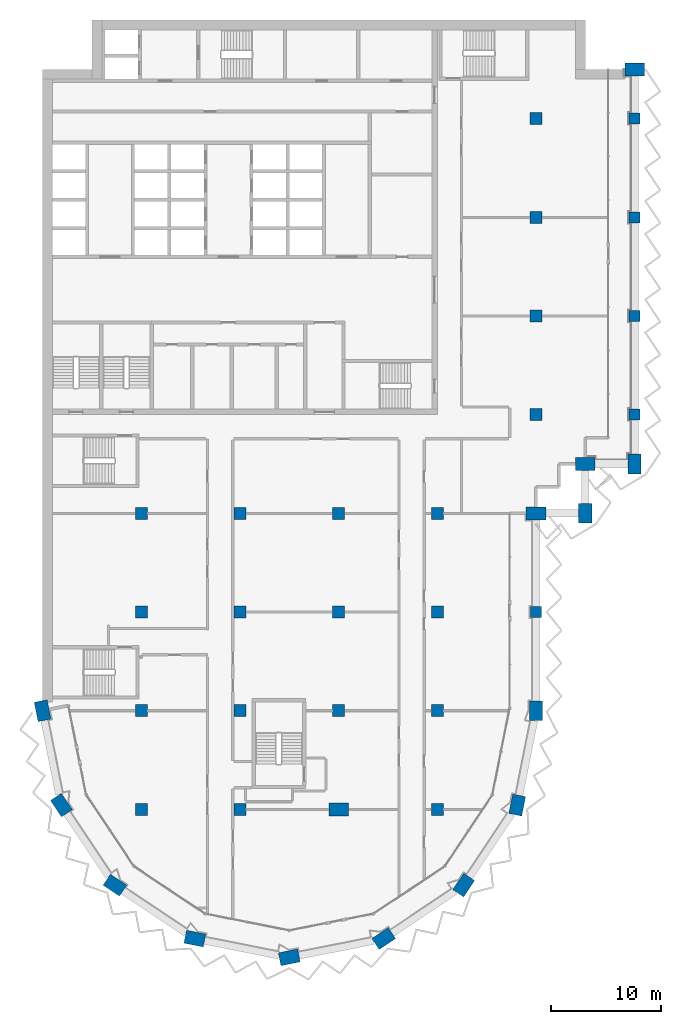
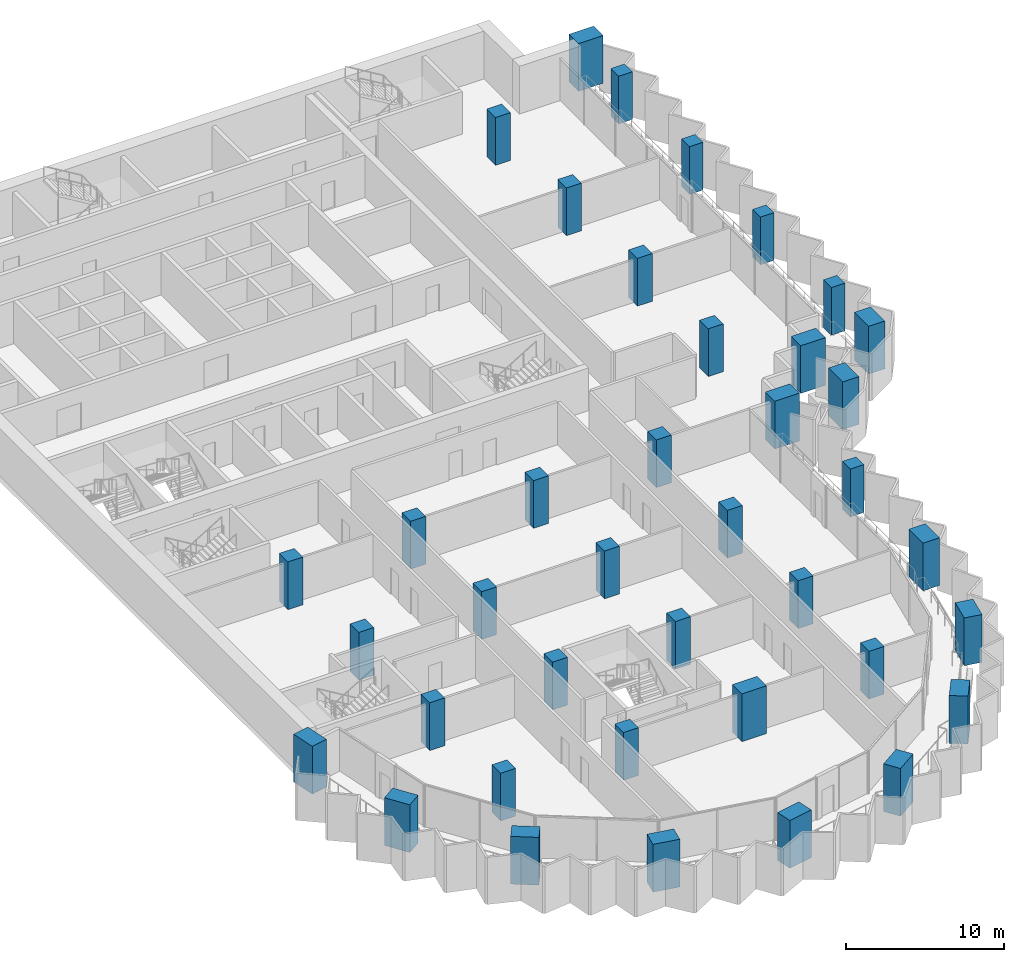
# One storey, part 1 of 17: 39 columns.
"""IFC4 building model written with IfcOpenShell, lengths in metres."""

from ifc_helpers import new_model, si_unit, direction, frame, origin, origin_2d, place, context, subcontext, project, spatial, rectangle, extrude, material, material_profile, profile_set, type_object, element, save


model = new_model("IFC4")

# Units and contexts
model_context = context("Model", 3, precision=1e-05, world=origin(), true_north=direction((0.0, 1.0)))
body_context = subcontext(model_context, "Body", "Model", "MODEL_VIEW")
ifc_project = project(units=[si_unit("LENGTHUNIT", "METRE"), si_unit("AREAUNIT", "SQUARE_METRE"), si_unit("VOLUMEUNIT", "CUBIC_METRE"), si_unit("PLANEANGLEUNIT", "RADIAN"), si_unit("MASSUNIT", "GRAM", prefix="KILO")], contexts=[model_context])

# Site, building, storey
site_placement = place(None, origin())
site = spatial("IfcSite", under=ifc_project, at=site_placement, CompositionType="ELEMENT")
building_placement = place(site_placement, origin())
building = spatial("IfcBuilding", under=site, at=building_placement, Name="Hunhe Ridgeline Campus", CompositionType="ELEMENT")
storey_placement = place(building_placement, frame((0.0, 0.0, 186.5)))
storey = spatial("IfcBuildingStorey", under=building, at=storey_placement, Name="L47", CompositionType="ELEMENT", Elevation=186.5)

# Columns
ifc_material = material(Name="Concrete C60", Category="concrete")
ifc_material_profile_1 = material_profile(ifc_material, rectangle(XDim=1.800048828125, YDim=1.199951171875, at=origin_2d()))
ifc_profile_set_1 = profile_set([ifc_material_profile_1], Name="Concrete C60")
column_type_1 = type_object("IfcColumnType", Name="Megacolumn 1800x1200 Concrete C60", PredefinedType="COLUMN", material=ifc_profile_set_1)
for number, where, z_axis, x_axis, name in (
    (1, (22.5, 13.5, 0.0), (0.0, 0.0, 1.0), (0.980785280403, 0.195090322016, 0.0), "Column C11 R6 L47"),
    (2, (13.8896484375, 15.212646484375, 0.0), (0.0, 0.0, 1.0), (-0.980785280403, 0.195090322016, 0.0), "Column C11 R7 L47"),
    (3, (31.1103515625, 15.212646484375, 0.0), (0.0, 0.0, 1.0), (0.831469612303, 0.55557023302, 0.0), "Column C11 R8 L47"),
    (4, (6.590087890625, 20.090087890625, 0.0), (0.0, 0.0, 1.0), (-0.831469612303, 0.55557023302, 0.0), "Column C11 R11 L47"),
    (5, (38.409912109375, 20.090087890625, 0.0), (0.0, 0.0, 1.0), (0.55557023302, 0.831469612303, 0.0), "Column C11 R12 L47"),
    (6, (1.712646484375, 27.3896484375, 0.0), (0.0, 0.0, 1.0), (-0.55557023302, 0.831469612303, 0.0), "Column C11 R16 L47"),
    (7, (43.287353515625, 27.3896484375, 0.0), (0.0, 0.0, 1.0), (0.195090322016, 0.980785280403, 0.0), "Column C11 R17 L47"),
    (8, (0.0, 36.0, 0.0), (0.0, 0.0, 1.0), (-0.195090322016, 0.980785280403, 0.0), "Column C11 E1 L47"),
    (9, (45.0, 36.0, 0.0), (0.0, 0.0, 1.0), (0.0, 1.0, 0.0), "Column C11 E6 L47"),
    (10, (45.0, 54.0, 0.0), (0.0, 0.0, 1.0), (1.0, 0.0, 0.0), "Column C11 G6 L47"),
    (11, (49.5, 54.0, 0.0), (0.0, 0.0, 1.0), (0.0, 1.0, 0.0), "Column C11 R29 L47"),
    (12, (49.5, 58.5, 0.0), (0.0, 0.0, 1.0), (1.0, 0.0, 0.0), "Column C11 R33 L47"),
    (13, (54.0, 58.5, 0.0), (0.0, 0.0, 1.0), (0.0, 1.0, 0.0), "Column C11 R34 L47"),
    (14, (54.0, 94.5, 0.0), (0.0, 0.0, 1.0), (1.0, 0.0, 0.0), "Column C11 R41 L47"),
    (15, (27.0, 27.0, 0.0), (0.0, 0.0, 1.0), (1.0, 0.0, 0.0), "Column C11 D4 L47"),
):
    element("IfcColumn", number, at=place(storey_placement, frame(where, z_axis=z_axis, x_axis=x_axis)), inside=storey, type_object=column_type_1, Name=name, PredefinedType="COLUMN", context=body_context, shape_type="SweptSolid", body=[
        extrude(rectangle(XDim=1.800048828125, YDim=1.199951171875, at=origin_2d()), origin(), (0.0, 0.0, 1.0), 3.699951171875),
    ])
ifc_material_profile_2 = material_profile(ifc_material, rectangle(XDim=1.0, YDim=1.0, at=origin_2d()))
ifc_profile_set_2 = profile_set([ifc_material_profile_2], Name="Concrete C60")
column_type_2 = type_object("IfcColumnType", Name="RC column 1000x1000 Concrete C60", PredefinedType="COLUMN", material=ifc_profile_set_2)
for number, where, z_axis, x_axis, name in (
    (16, (45.0, 45.0, 0.0), (0.0, 0.0, 1.0), (1.0, 0.0, 0.0), "Column C12 F6 L47"),
    (17, (54.0, 63.0, 0.0), (0.0, 0.0, 1.0), (1.0, 0.0, 0.0), "Column C12 H7 L47"),
    (18, (54.0, 72.0, 0.0), (0.0, 0.0, 1.0), (1.0, 0.0, 0.0), "Column C12 I7 L47"),
    (19, (54.0, 81.0, 0.0), (0.0, 0.0, 1.0), (1.0, 0.0, 0.0), "Column C12 J7 L47"),
    (20, (54.0, 90.0, 0.0), (0.0, 0.0, 1.0), (1.0, 0.0, 0.0), "Column C12 K7 L47"),
):
    element("IfcColumn", number, at=place(storey_placement, frame(where, z_axis=z_axis, x_axis=x_axis)), inside=storey, type_object=column_type_2, Name=name, PredefinedType="COLUMN", context=body_context, shape_type="SweptSolid", body=[
        extrude(rectangle(XDim=1.0, YDim=1.0, at=origin_2d()), origin(), (0.0, 0.0, 1.0), 3.699951171875),
    ])
ifc_material_profile_3 = material_profile(ifc_material, rectangle(XDim=1.10009765625, YDim=1.10009765625, at=origin_2d()))
ifc_profile_set_3 = profile_set([ifc_material_profile_3], Name="Concrete C60")
column_type_3 = type_object("IfcColumnType", Name="RC column 1100x1100 Concrete C60", PredefinedType="COLUMN", material=ifc_profile_set_3)
for number, where, z_axis, x_axis, name in (
    (21, (9.0, 27.0, 0.0), (0.0, 0.0, 1.0), (1.0, 0.0, 0.0), "Column C13 D2 L47"),
    (22, (9.0, 36.0, 0.0), (0.0, 0.0, 1.0), (1.0, 0.0, 0.0), "Column C13 E2 L47"),
    (23, (9.0, 45.0, 0.0), (0.0, 0.0, 1.0), (1.0, 0.0, 0.0), "Column C13 F2 L47"),
    (24, (9.0, 54.0, 0.0), (0.0, 0.0, 1.0), (1.0, 0.0, 0.0), "Column C13 G2 L47"),
    (25, (18.0, 27.0, 0.0), (0.0, 0.0, 1.0), (1.0, 0.0, 0.0), "Column C13 D3 L47"),
    (26, (18.0, 36.0, 0.0), (0.0, 0.0, 1.0), (1.0, 0.0, 0.0), "Column C13 E3 L47"),
    (27, (18.0, 45.0, 0.0), (0.0, 0.0, 1.0), (1.0, 0.0, 0.0), "Column C13 F3 L47"),
    (28, (18.0, 54.0, 0.0), (0.0, 0.0, 1.0), (1.0, 0.0, 0.0), "Column C13 G3 L47"),
    (29, (27.0, 36.0, 0.0), (0.0, 0.0, 1.0), (1.0, 0.0, 0.0), "Column C13 E4 L47"),
    (30, (27.0, 45.0, 0.0), (0.0, 0.0, 1.0), (1.0, 0.0, 0.0), "Column C13 F4 L47"),
    (31, (27.0, 54.0, 0.0), (0.0, 0.0, 1.0), (1.0, 0.0, 0.0), "Column C13 G4 L47"),
    (32, (36.0, 27.0, 0.0), (0.0, 0.0, 1.0), (1.0, 0.0, 0.0), "Column C13 D5 L47"),
    (33, (36.0, 36.0, 0.0), (0.0, 0.0, 1.0), (1.0, 0.0, 0.0), "Column C13 E5 L47"),
    (34, (36.0, 45.0, 0.0), (0.0, 0.0, 1.0), (1.0, 0.0, 0.0), "Column C13 F5 L47"),
    (35, (36.0, 54.0, 0.0), (0.0, 0.0, 1.0), (1.0, 0.0, 0.0), "Column C13 G5 L47"),
    (36, (45.0, 63.0, 0.0), (0.0, 0.0, 1.0), (1.0, 0.0, 0.0), "Column C13 H6 L47"),
    (37, (45.0, 72.0, 0.0), (0.0, 0.0, 1.0), (1.0, 0.0, 0.0), "Column C13 I6 L47"),
    (38, (45.0, 81.0, 0.0), (0.0, 0.0, 1.0), (1.0, 0.0, 0.0), "Column C13 J6 L47"),
    (39, (45.0, 90.0, 0.0), (0.0, 0.0, 1.0), (1.0, 0.0, 0.0), "Column C13 K6 L47"),
):
    element("IfcColumn", number, at=place(storey_placement, frame(where, z_axis=z_axis, x_axis=x_axis)), inside=storey, type_object=column_type_3, Name=name, PredefinedType="COLUMN", context=body_context, shape_type="SweptSolid", body=[
        extrude(rectangle(XDim=1.10009765625, YDim=1.10009765625, at=origin_2d()), origin(), (0.0, 0.0, 1.0), 3.699951171875),
    ])

save(model, "model.ifc")
